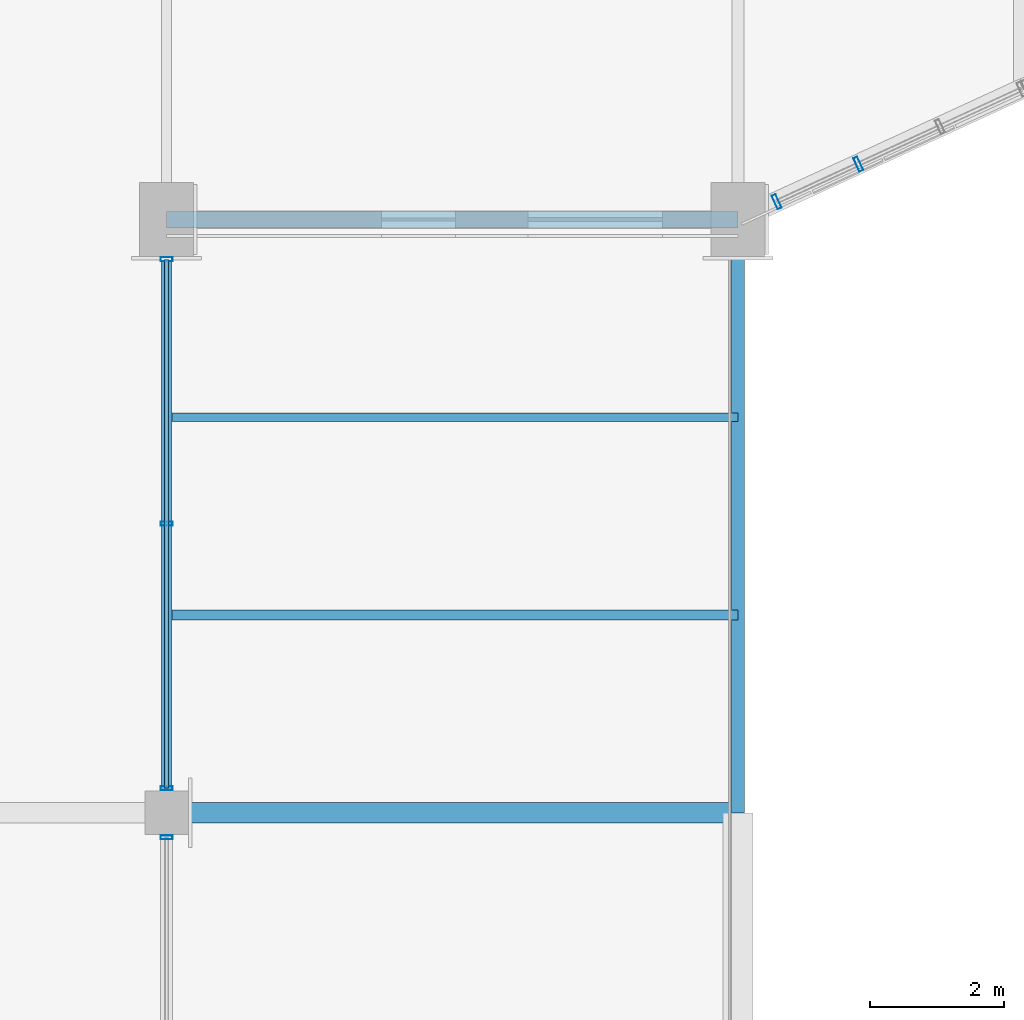
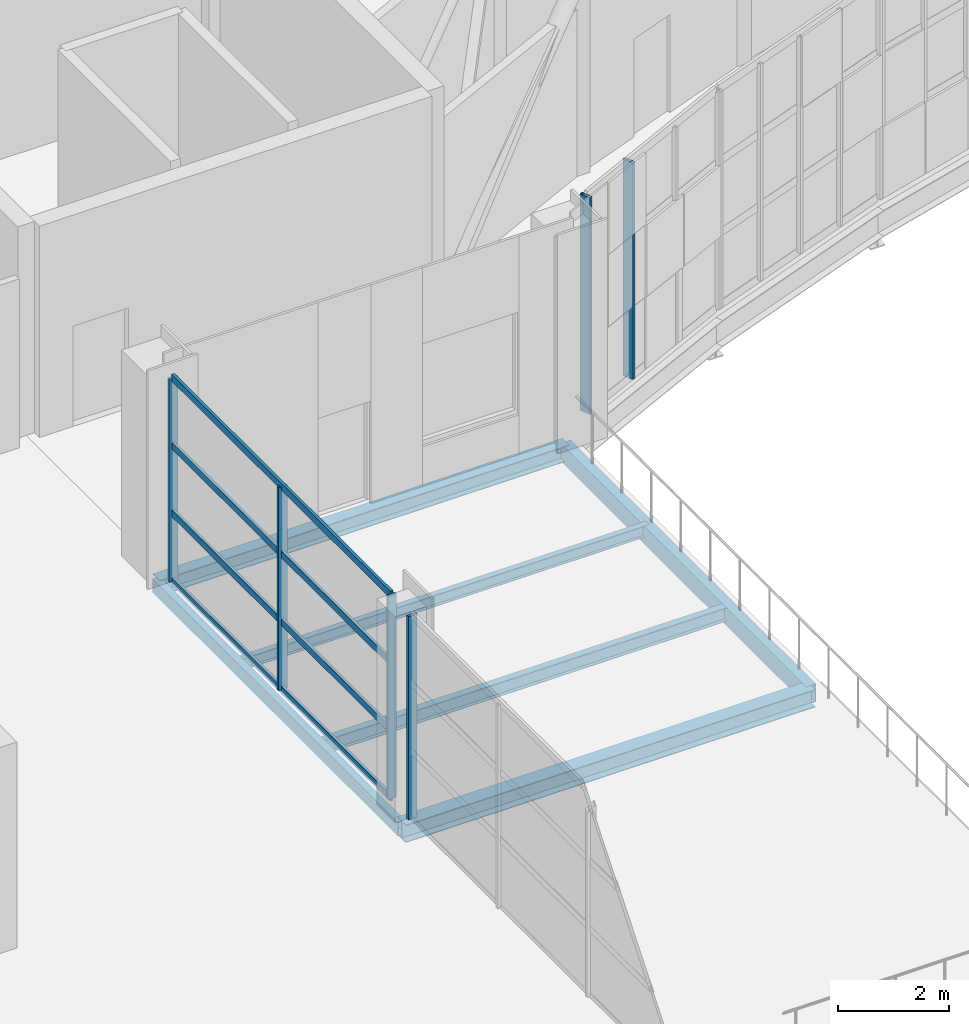
# One storey, part 33 of 86: 10 members, 6 beams, 3 elements without a shape of their own.
"""IFC4 building model written with IfcOpenShell, lengths in metres."""

import ifcopenshell
import ifcopenshell.guid

model = None  # the IFC model being written
_history = None  # IfcOwnerHistory: only IFC2X3 demands one
_inside = {}  # id of a spatial element -> (the spatial element, [elements in it])
_under = {}  # id of a project, library or spatial element -> (it, [spatial elements below it])
_declared = {}  # id of a project -> (the project, [libraries it declares])
_typed = {}  # id of a type object -> (the type object, [elements of that type])
_made_of = {}  # id of a material, layer set ... -> (it, [elements and type objects made of it])


def new_model(schema):
    """Start an empty IFC model of exactly this schema.

    Asked for "IFC4X3", IfcOpenShell would pick the latest addendum, in which some entities
    have other attributes; the version numbers below select the first issue.
    IFC2X3 requires an IfcOwnerHistory on every rooted entity: one is made here for all.
    """
    global model, _history
    if schema == "IFC4X3":
        model = ifcopenshell.file(schema_version=(4, 3, 0, 0))
    else:
        model = ifcopenshell.file(schema=schema)
    _inside.clear()
    _under.clear()
    _declared.clear()
    _typed.clear()
    _made_of.clear()
    _history = None
    if model.schema == "IFC2X3":
        org = make("IfcOrganization", Name="unknown")
        user = make(
            "IfcPersonAndOrganization",
            ThePerson=make("IfcPerson", FamilyName="unknown"),
            TheOrganization=org,
        )
        app = make(
            "IfcApplication",
            ApplicationDeveloper=org,
            Version="unknown",
            ApplicationFullName="unknown",
            ApplicationIdentifier="unknown",
        )
        _history = make(
            "IfcOwnerHistory",
            OwningUser=user,
            OwningApplication=app,
            ChangeAction="ADDED",
            CreationDate=0,
        )
    return model


def make(cls, **values):
    """One entity of the class cls with the attributes given. An attribute that is None is left unset."""
    return model.create_entity(
        cls, **{name: value for name, value in values.items() if value is not None}
    )


def rooted(cls, **values):
    """An entity with a GlobalId (a new one), such as an element, a storey or a relation."""
    return make(cls, GlobalId=ifcopenshell.guid.new(), OwnerHistory=_history, **values)


def si_unit(unit_type, name, prefix=None):
    """IfcSIUnit, for example si_unit("LENGTHUNIT", "METRE", prefix="MILLI")."""
    return make("IfcSIUnit", UnitType=unit_type, Prefix=prefix, Name=name)


def assignment(units):
    """IfcUnitAssignment: the units of a project."""
    return None if units is None else make("IfcUnitAssignment", Units=units)


def point(xyz):
    """IfcCartesianPoint."""
    return None if xyz is None else make("IfcCartesianPoint", Coordinates=xyz)


def direction(xyz):
    """IfcDirection."""
    return None if xyz is None else make("IfcDirection", DirectionRatios=xyz)


def frame(location, z_axis=None, x_axis=None):
    """IfcAxis2Placement3D, a coordinate frame: its origin and axes. An axis left out is left unset."""
    return make(
        "IfcAxis2Placement3D",
        Location=point(location),
        Axis=direction(z_axis),
        RefDirection=direction(x_axis),
    )


def frame_2d(location, x_axis=None):
    """IfcAxis2Placement2D, a coordinate frame in the plane: its origin and x axis."""
    return make(
        "IfcAxis2Placement2D", Location=point(location), RefDirection=direction(x_axis)
    )


def origin():
    """The frame at (0, 0, 0) with its axes left unset."""
    return frame((0.0, 0.0, 0.0))


def origin_2d():
    """The frame at (0, 0) in the plane with its x axis left unset."""
    return frame_2d((0.0, 0.0))


def place(relative_to, where):
    """IfcLocalPlacement: puts the frame where relative to a parent placement (None: the world)."""
    return make(
        "IfcLocalPlacement", PlacementRelTo=relative_to, RelativePlacement=where
    )


def context(
    kind, dimensions, precision=None, world=None, true_north=None, identifier=None
):
    """IfcGeometricRepresentationContext, for example the 3D "Model" context."""
    return make(
        "IfcGeometricRepresentationContext",
        ContextIdentifier=identifier,
        ContextType=kind,
        CoordinateSpaceDimension=dimensions,
        Precision=precision,
        WorldCoordinateSystem=world,
        TrueNorth=true_north,
    )


def subcontext(parent, identifier, kind, view, scale=None):
    """IfcGeometricRepresentationSubContext, for example "Body" below "Model"."""
    return make(
        "IfcGeometricRepresentationSubContext",
        ContextIdentifier=identifier,
        ContextType=kind,
        ParentContext=parent,
        TargetScale=scale,
        TargetView=view,
    )


def project(units=None, contexts=None):
    """IfcProject with its units and contexts."""
    return rooted(
        "IfcProject",
        Name="project",
        RepresentationContexts=contexts,
        UnitsInContext=assignment(units),
    )


def spatial(cls, under=None, at=None, **own):
    """A site, building, storey or space (cls), placed at a placement, below another one or the project."""
    s = rooted(cls, ObjectPlacement=at, **own)
    if under is not None:
        _under.setdefault(under.id(), (under, []))[1].append(s)
    return s


def profile(cls, at=None, kind="AREA", **sizes):
    """A parametric profile (cls). Its sizes go by their IFC names, for example OverallWidth=200.0."""
    return make(cls, ProfileType=kind, Position=at, **sizes)


def hollow_rectangle(**sizes):
    """IfcRectangleHollowProfileDef."""
    return profile("IfcRectangleHollowProfileDef", **sizes)


def i_section(**sizes):
    """IfcIShapeProfileDef."""
    return profile("IfcIShapeProfileDef", **sizes)


def extrude(swept, where, along, depth):
    """IfcExtrudedAreaSolid: the profile swept, set in the frame where, extruded along a direction by depth."""
    return make(
        "IfcExtrudedAreaSolid",
        SweptArea=swept,
        Position=where,
        ExtrudedDirection=direction(along),
        Depth=depth,
    )


def shape(context_of_items, identifier, shape_type, items):
    """IfcShapeRepresentation: the items that make up one representation, for example the "Body"."""
    return make(
        "IfcShapeRepresentation",
        ContextOfItems=context_of_items,
        RepresentationIdentifier=identifier,
        RepresentationType=shape_type,
        Items=items,
    )


def material(Name=None, Category=None):
    """IfcMaterial."""
    return make("IfcMaterial", Name=Name, Category=Category)


def material_profile(
    of_material, cross_section, Name=None, Category=None, Priority=None
):
    """IfcMaterialProfile: a cross section and its material."""
    return make(
        "IfcMaterialProfile",
        Name=Name,
        Material=of_material,
        Profile=cross_section,
        Priority=Priority,
        Category=Category,
    )


def profile_set(profiles, Name=None, composite=None):
    """IfcMaterialProfileSet."""
    return make(
        "IfcMaterialProfileSet",
        Name=Name,
        MaterialProfiles=profiles,
        CompositeProfile=composite,
    )


def made_of(thing, what):
    """Note that an element or type object is made of a material, layer set ...; save() writes the relation."""
    if what is not None:
        _made_of.setdefault(what.id(), (what, []))[1].append(thing)
    return thing


def type_object(cls, material=None, **own):
    """A type object (cls), such as IfcWallType, which elements share."""
    return made_of(rooted(cls, **own), material)


def element(
    cls,
    number,
    at=None,
    inside=None,
    cuts=None,
    type_object=None,
    material=None,
    context=None,
    identifier="Body",
    shape_type=None,
    held_by="IfcProductDefinitionShape",
    body=None,
    shapes=None,
    **own,
):
    """One element of the class cls, such as IfcWall. Its Tag is "e" and its number.

    at: its placement. inside: the storey or other place that contains it. cuts: it is an
    opening in that element (IfcRelVoidsElement). A single representation is given by context,
    identifier, shape_type and body (its items); several are given by shapes. held_by: the class
    of the entity that holds the representations. save() writes the other relations.
    """
    e = rooted(cls, Tag="e%d" % number, ObjectPlacement=at, **own)
    if body is not None:
        shapes = [shape(context, identifier, shape_type, body)]
    if shapes is not None:
        e.Representation = make(held_by, Representations=shapes)
    if inside is not None:
        _inside.setdefault(inside.id(), (inside, []))[1].append(e)
    if cuts is not None:
        rooted(
            "IfcRelVoidsElement", RelatingBuildingElement=cuts, RelatedOpeningElement=e
        )
    if type_object is not None:
        _typed.setdefault(type_object.id(), (type_object, []))[1].append(e)
    return made_of(e, material)


def aggregate(whole, parts):
    """IfcRelAggregates: a whole, such as a stair, and the parts it consists of."""
    return rooted("IfcRelAggregates", RelatingObject=whole, RelatedObjects=parts)


def save(model, path):
    """Write the relations noted so far, then the file.

    IfcRelAggregates (storeys below a building ...), IfcRelContainedInSpatialStructure (elements
    in a storey), IfcRelDefinesByType, IfcRelAssociatesMaterial and IfcRelDeclares: one each for
    every whole, place, type object, material and project.
    """
    for whole, parts in _under.values():
        aggregate(whole, parts)
    for where, things in _inside.values():
        rooted(
            "IfcRelContainedInSpatialStructure",
            RelatedElements=things,
            RelatingStructure=where,
        )
    for kind, things in _typed.values():
        rooted("IfcRelDefinesByType", RelatedObjects=things, RelatingType=kind)
    for what, things in _made_of.values():
        rooted("IfcRelAssociatesMaterial", RelatedObjects=things, RelatingMaterial=what)
    for by, libraries in _declared.values():
        rooted("IfcRelDeclares", RelatingContext=by, RelatedDefinitions=libraries)
    model.write(path)


model = new_model("IFC4")

# Units and contexts
model_context = context("Model", 3, precision=1e-05, world=origin(), true_north=direction((0.0, 1.0)))
body_context = subcontext(model_context, "Body", "Model", "MODEL_VIEW")
ifc_project = project(units=[si_unit("LENGTHUNIT", "METRE"), si_unit("AREAUNIT", "SQUARE_METRE"), si_unit("VOLUMEUNIT", "CUBIC_METRE"), si_unit("PLANEANGLEUNIT", "RADIAN"), si_unit("MASSUNIT", "GRAM", prefix="KILO")], contexts=[model_context])

# Site, building, storey
site_placement = place(None, origin())
site = spatial("IfcSite", under=ifc_project, at=site_placement, CompositionType="ELEMENT")
building_placement = place(site_placement, origin())
building = spatial("IfcBuilding", under=site, at=building_placement, Name="Solvikara Media Centre", CompositionType="ELEMENT")
storey_placement = place(building_placement, frame((0.0, 0.0, 15.0)))
storey = spatial("IfcBuildingStorey", under=building, at=storey_placement, Name="L03", CompositionType="ELEMENT", Elevation=15.0)

# Beams
ifc_material_1 = material(Name="Steel S355JR", Category="steel")
ifc_material_profile_1 = material_profile(ifc_material_1, i_section(OverallWidth=0.14990234375, OverallDepth=0.300048828125, WebThickness=0.006591796875, FlangeThickness=0.009033203125, at=origin_2d()), Name="WF 300x150x6.5x9")
ifc_profile_set_1 = profile_set([ifc_material_profile_1], Name="Steel S355JR")
beam_type_1 = type_object("IfcBeamType", Name="BM-23", PredefinedType="JOIST", material=ifc_profile_set_1)
beam_1_placement = place(storey_placement, frame((68.077880859375, 13.44091796875, -0.422119140625), z_axis=(1.0, 0.0, 0.0), x_axis=(0.0, 1.0, 0.0)))
element("IfcBeam", 1, at=beam_1_placement, inside=storey, type_object=beam_type_1, Name="J-L03-1403", PredefinedType="JOIST", context=body_context, shape_type="SweptSolid", body=[
    extrude(i_section(OverallWidth=0.14990234375, OverallDepth=0.300048828125, WebThickness=0.006591796875, FlangeThickness=0.009033203125, at=origin_2d()), origin(), (0.0, 0.0, 1.0), 8.422119140625),
])
ifc_material_profile_2 = material_profile(ifc_material_1, i_section(OverallWidth=0.125, OverallDepth=0.25, WebThickness=0.006103515625, FlangeThickness=0.009033203125, at=origin_2d()), Name="WF 250x125x6x9")
ifc_profile_set_2 = profile_set([ifc_material_profile_2], Name="Steel S355JR")
beam_type_2 = type_object("IfcBeamType", Name="BM-24", PredefinedType="JOIST", material=ifc_profile_set_2)
beam_2_placement = place(storey_placement, frame((68.077880859375, 16.383056640625, -0.39697265625), z_axis=(1.0, 0.0, 0.0), x_axis=(0.0, 1.0, 0.0)))
element("IfcBeam", 2, at=beam_2_placement, inside=storey, type_object=beam_type_2, Name="J-L03-1404", PredefinedType="JOIST", context=body_context, shape_type="SweptSolid", body=[
    extrude(i_section(OverallWidth=0.125, OverallDepth=0.25, WebThickness=0.006103515625, FlangeThickness=0.009033203125, at=origin_2d()), origin(), (0.0, 0.0, 1.0), 8.422119140625),
])
ifc_material_profile_3 = material_profile(ifc_material_1, i_section(OverallWidth=0.300048828125, OverallDepth=0.389892578125, WebThickness=0.010009765625, FlangeThickness=0.01611328125, at=origin_2d()), Name="H 390x300x10x16")
ifc_profile_set_3 = profile_set([ifc_material_profile_3], Name="Steel S355JR")
beam_type_3 = type_object("IfcBeamType", Name="BM-29", PredefinedType="BEAM", material=ifc_profile_set_3)
beam_3_placement = place(storey_placement, frame((68.0, 10.5, -0.467041015625), z_axis=(1.0, 0.0, 0.0), x_axis=(0.0, 1.0, 0.0)))
element("IfcBeam", 3, at=beam_3_placement, inside=storey, type_object=beam_type_3, Name="B-L03-X1171", PredefinedType="BEAM", context=body_context, shape_type="SweptSolid", body=[
    extrude(i_section(OverallWidth=0.300048828125, OverallDepth=0.389892578125, WebThickness=0.010009765625, FlangeThickness=0.01611328125, at=origin_2d()), origin(), (0.0, 0.0, 1.0), 8.5),
])
ifc_material_profile_4 = material_profile(ifc_material_1, i_section(OverallWidth=0.25, OverallDepth=0.340087890625, WebThickness=0.009033203125, FlangeThickness=0.013916015625, at=origin_2d()), Name="H 340x250x9x14")
ifc_profile_set_4 = profile_set([ifc_material_profile_4], Name="Steel S355JR")
beam_type_4 = type_object("IfcBeamType", Name="BM-30", PredefinedType="BEAM", material=ifc_profile_set_4)
beam_4_placement = place(storey_placement, frame((68.0, 19.320068359375, -0.44189453125), z_axis=(1.0, 0.0, 0.0), x_axis=(0.0, 1.0, 0.0)))
element("IfcBeam", 4, at=beam_4_placement, inside=storey, type_object=beam_type_4, Name="B-L03-X1172", PredefinedType="BEAM", context=body_context, shape_type="SweptSolid", body=[
    extrude(i_section(OverallWidth=0.25, OverallDepth=0.340087890625, WebThickness=0.009033203125, FlangeThickness=0.013916015625, at=origin_2d()), origin(), (0.0, 0.0, 1.0), 8.5),
])
ifc_material_profile_5 = material_profile(ifc_material_1, hollow_rectangle(XDim=0.199951171875, YDim=0.39990234375, WallThickness=0.011962890625, at=origin_2d()), Name="RHS 400x200x12")
ifc_profile_set_5 = profile_set([ifc_material_profile_5], Name="Steel S355JR")
beam_type_5 = type_object("IfcBeamType", Name="BM-33", PredefinedType="SPANDREL", material=ifc_profile_set_5)
beam_5_placement = place(storey_placement, frame((76.5, 10.5, -0.471923828125), z_axis=(0.0, 1.0, 0.0), x_axis=(-1.0, 0.0, 0.0)))
element("IfcBeam", 5, at=beam_5_placement, inside=storey, type_object=beam_type_5, Name="B-L03-Y1281", PredefinedType="SPANDREL", context=body_context, shape_type="SweptSolid", body=[
    extrude(hollow_rectangle(XDim=0.199951171875, YDim=0.39990234375, WallThickness=0.011962890625, at=origin_2d()), origin(), (0.0, 0.0, 1.0), 8.823974609375),
])
ifc_material_profile_6 = material_profile(ifc_material_1, hollow_rectangle(XDim=0.14990234375, YDim=0.300048828125, WallThickness=0.010009765625, at=origin_2d()), Name="RHS 300x150x10")
ifc_profile_set_6 = profile_set([ifc_material_profile_6], Name="Steel S355JR")
beam_type_6 = type_object("IfcBeamType", Name="BM-35", PredefinedType="BEAM", material=ifc_profile_set_6)
beam_6_placement = place(storey_placement, frame((68.0, 10.5, -0.431884765625), z_axis=(0.0, 1.0, 0.0), x_axis=(-1.0, 0.0, 0.0)))
element("IfcBeam", 6, at=beam_6_placement, inside=storey, type_object=beam_type_6, Name="B-L03-Y1277", PredefinedType="BEAM", context=body_context, shape_type="SweptSolid", body=[
    extrude(hollow_rectangle(XDim=0.14990234375, YDim=0.300048828125, WallThickness=0.010009765625, at=origin_2d()), origin(), (0.0, 0.0, 1.0), 8.823974609375),
])

# Curtain wall, members
ifc_material_2 = material(Name="Anodised aluminium EN AW-6063", Category="aluminium")
curtain_wall_type_1 = type_object("IfcCurtainWallType", Name="CW-01", PredefinedType="NOTDEFINED", material=ifc_material_2)
curtain_wall_1_placement = place(storey_placement, origin())
curtain_wall_1 = element("IfcCurtainWall", 7, at=curtain_wall_1_placement, inside=storey, type_object=curtain_wall_type_1, Name="CW-L03-SARC-00", PredefinedType="NOTDEFINED")
ifc_material_profile_7 = material_profile(ifc_material_2, hollow_rectangle(XDim=0.06494140625, YDim=0.219970703125, WallThickness=0.00390625, at=origin_2d()), Name="ALU-M 65x220x4")
ifc_profile_set_7 = profile_set([ifc_material_profile_7], Name="Anodised aluminium EN AW-6063")
member_type_1 = type_object("IfcMemberType", Name="MF-01", PredefinedType="MULLION", material=ifc_profile_set_7)
member_1_placement = place(storey_placement, frame((77.074951171875, 19.589111328125, 0.02001953125), z_axis=(0.0, 0.0, 1.0), x_axis=(0.908566513921, 0.417740218056, 0.0)))
member_1 = element("IfcMember", 8, at=member_1_placement, type_object=member_type_1, Name="CW-L03-SARC-00-M00", PredefinedType="MULLION", context=body_context, shape_type="SweptSolid", body=[
    extrude(hollow_rectangle(XDim=0.06494140625, YDim=0.219970703125, WallThickness=0.00390625, at=origin_2d()), origin(), (0.0, 0.0, 1.0), 4.760009765625),
])
member_2_placement = place(storey_placement, frame((78.2900390625, 20.14794921875, 0.02001953125), z_axis=(0.0, 0.0, 1.0), x_axis=(0.908566513921, 0.417740218056, 0.0)))
member_2 = element("IfcMember", 9, at=member_2_placement, type_object=member_type_1, Name="CW-L03-SARC-00-M01", PredefinedType="MULLION", context=body_context, shape_type="SweptSolid", body=[
    extrude(hollow_rectangle(XDim=0.06494140625, YDim=0.219970703125, WallThickness=0.00390625, at=origin_2d()), origin(), (0.0, 0.0, 1.0), 4.760009765625),
])
aggregate(curtain_wall_1, [member_1, member_2])

# Curtain wall, member
curtain_wall_type_2 = type_object("IfcCurtainWallType", Name="CW-16", PredefinedType="NOTDEFINED", material=ifc_material_2)
curtain_wall_2_placement = place(storey_placement, origin())
curtain_wall_2 = element("IfcCurtainWall", 10, at=curtain_wall_2_placement, inside=storey, type_object=curtain_wall_type_2, Name="CW-L03-V6E-S1", PredefinedType="NOTDEFINED")
ifc_material_profile_8 = material_profile(ifc_material_2, hollow_rectangle(XDim=0.06005859375, YDim=0.179931640625, WallThickness=0.00341796875, at=origin_2d()), Name="ALU-M 60x180x3.5")
ifc_profile_set_8 = profile_set([ifc_material_profile_8], Name="Anodised aluminium EN AW-6063")
member_type_2 = type_object("IfcMemberType", Name="MF-03", PredefinedType="MULLION", material=ifc_profile_set_8)
member_3_placement = place(storey_placement, frame((68.0, 10.135009765625, 0.02001953125), z_axis=(0.0, 0.0, 1.0), x_axis=(0.0, 1.0, 0.0)))
member_3 = element("IfcMember", 11, at=member_3_placement, type_object=member_type_2, Name="CW-L03-V6E-S1-M03", PredefinedType="MULLION", context=body_context, shape_type="SweptSolid", body=[
    extrude(hollow_rectangle(XDim=0.06005859375, YDim=0.179931640625, WallThickness=0.00341796875, at=origin_2d()), origin(), (0.0, 0.0, 1.0), 4.4599609375),
])
aggregate(curtain_wall_2, [member_3])

# Curtain wall, members
curtain_wall_3_placement = place(storey_placement, origin())
curtain_wall_3 = element("IfcCurtainWall", 12, at=curtain_wall_3_placement, inside=storey, type_object=curtain_wall_type_2, Name="CW-L03-V6E-S2", PredefinedType="NOTDEFINED")
member_4_placement = place(storey_placement, frame((68.0, 10.864990234375, 0.02001953125), z_axis=(0.0, 0.0, 1.0), x_axis=(0.0, 1.0, 0.0)))
member_4 = element("IfcMember", 13, at=member_4_placement, type_object=member_type_2, Name="CW-L03-V6E-S2-M00", PredefinedType="MULLION", context=body_context, shape_type="SweptSolid", body=[
    extrude(hollow_rectangle(XDim=0.06005859375, YDim=0.179931640625, WallThickness=0.00341796875, at=origin_2d()), origin(), (0.0, 0.0, 1.0), 4.4599609375),
])
member_5_placement = place(storey_placement, frame((68.0, 14.800048828125, 0.02001953125), z_axis=(0.0, 0.0, 1.0), x_axis=(0.0, 1.0, 0.0)))
member_5 = element("IfcMember", 14, at=member_5_placement, type_object=member_type_2, Name="CW-L03-V6E-S2-M01", PredefinedType="MULLION", context=body_context, shape_type="SweptSolid", body=[
    extrude(hollow_rectangle(XDim=0.06005859375, YDim=0.179931640625, WallThickness=0.00341796875, at=origin_2d()), origin(), (0.0, 0.0, 1.0), 4.4599609375),
])
member_6_placement = place(storey_placement, frame((68.0, 18.73388671875, 0.02001953125), z_axis=(0.0, 0.0, 1.0), x_axis=(0.0, 1.0, 0.0)))
member_6 = element("IfcMember", 15, at=member_6_placement, type_object=member_type_2, Name="CW-L03-V6E-S2-M02", PredefinedType="MULLION", context=body_context, shape_type="SweptSolid", body=[
    extrude(hollow_rectangle(XDim=0.06005859375, YDim=0.179931640625, WallThickness=0.00341796875, at=origin_2d()), origin(), (0.0, 0.0, 1.0), 4.4599609375),
])
ifc_material_profile_9 = material_profile(ifc_material_2, hollow_rectangle(XDim=0.06005859375, YDim=0.14990234375, WallThickness=0.0029296875, at=origin_2d()), Name="ALU-T 60x150x3")
ifc_profile_set_9 = profile_set([ifc_material_profile_9], Name="Anodised aluminium EN AW-6063")
member_type_3 = type_object("IfcMemberType", Name="MF-09", PredefinedType="USERDEFINED", material=ifc_profile_set_9)
member_7_placement = place(storey_placement, frame((68.0, 10.864990234375, 0.02001953125), z_axis=(0.0, 1.0, 0.0), x_axis=(-1.0, 0.0, 0.0)))
member_7 = element("IfcMember", 16, at=member_7_placement, type_object=member_type_3, Name="CW-L03-V6E-S2-T00", ObjectType="TRANSOM", PredefinedType="USERDEFINED", context=body_context, shape_type="SweptSolid", body=[
    extrude(hollow_rectangle(XDim=0.06005859375, YDim=0.14990234375, WallThickness=0.0029296875, at=origin_2d()), origin(), (0.0, 0.0, 1.0), 7.868896484375),
])
member_8_placement = place(storey_placement, frame((68.0, 10.864990234375, 1.507080078125), z_axis=(0.0, 1.0, 0.0), x_axis=(-1.0, 0.0, 0.0)))
member_8 = element("IfcMember", 17, at=member_8_placement, type_object=member_type_3, Name="CW-L03-V6E-S2-T01", ObjectType="TRANSOM", PredefinedType="USERDEFINED", context=body_context, shape_type="SweptSolid", body=[
    extrude(hollow_rectangle(XDim=0.06005859375, YDim=0.14990234375, WallThickness=0.0029296875, at=origin_2d()), origin(), (0.0, 0.0, 1.0), 7.868896484375),
])
member_9_placement = place(storey_placement, frame((68.0, 10.864990234375, 2.992919921875), z_axis=(0.0, 1.0, 0.0), x_axis=(-1.0, 0.0, 0.0)))
member_9 = element("IfcMember", 18, at=member_9_placement, type_object=member_type_3, Name="CW-L03-V6E-S2-T02", ObjectType="TRANSOM", PredefinedType="USERDEFINED", context=body_context, shape_type="SweptSolid", body=[
    extrude(hollow_rectangle(XDim=0.06005859375, YDim=0.14990234375, WallThickness=0.0029296875, at=origin_2d()), origin(), (0.0, 0.0, 1.0), 7.868896484375),
])
member_10_placement = place(storey_placement, frame((68.0, 10.864990234375, 4.47998046875), z_axis=(0.0, 1.0, 0.0), x_axis=(-1.0, 0.0, 0.0)))
member_10 = element("IfcMember", 19, at=member_10_placement, type_object=member_type_3, Name="CW-L03-V6E-S2-T03", ObjectType="TRANSOM", PredefinedType="USERDEFINED", context=body_context, shape_type="SweptSolid", body=[
    extrude(hollow_rectangle(XDim=0.06005859375, YDim=0.14990234375, WallThickness=0.0029296875, at=origin_2d()), origin(), (0.0, 0.0, 1.0), 7.868896484375),
])
aggregate(curtain_wall_3, [member_4, member_5, member_6, member_7, member_8, member_9, member_10])

save(model, "model.ifc")
